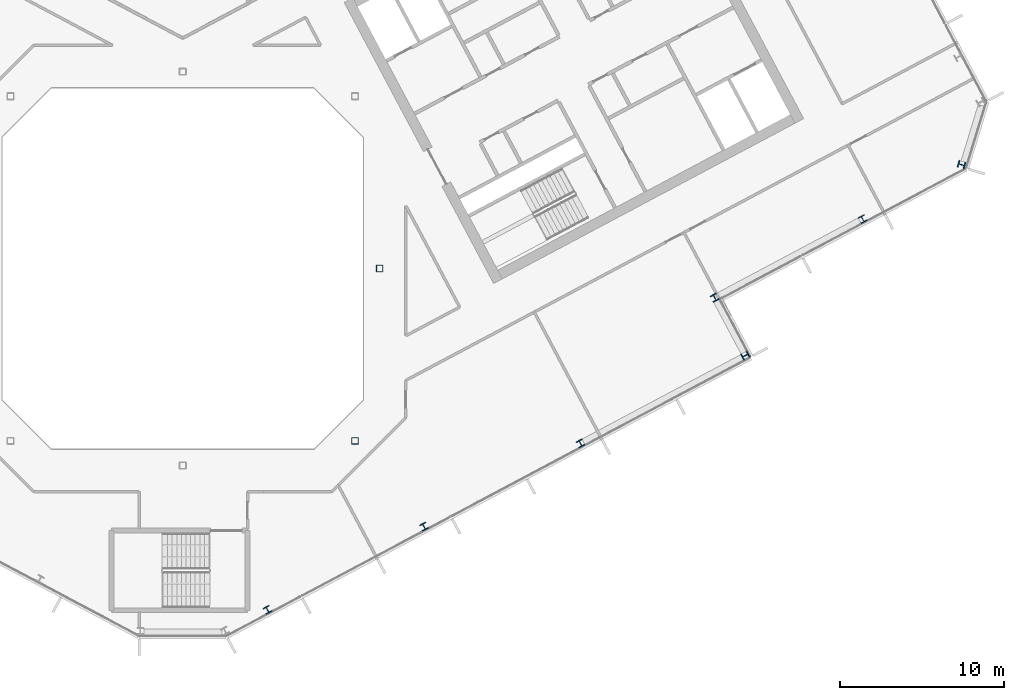
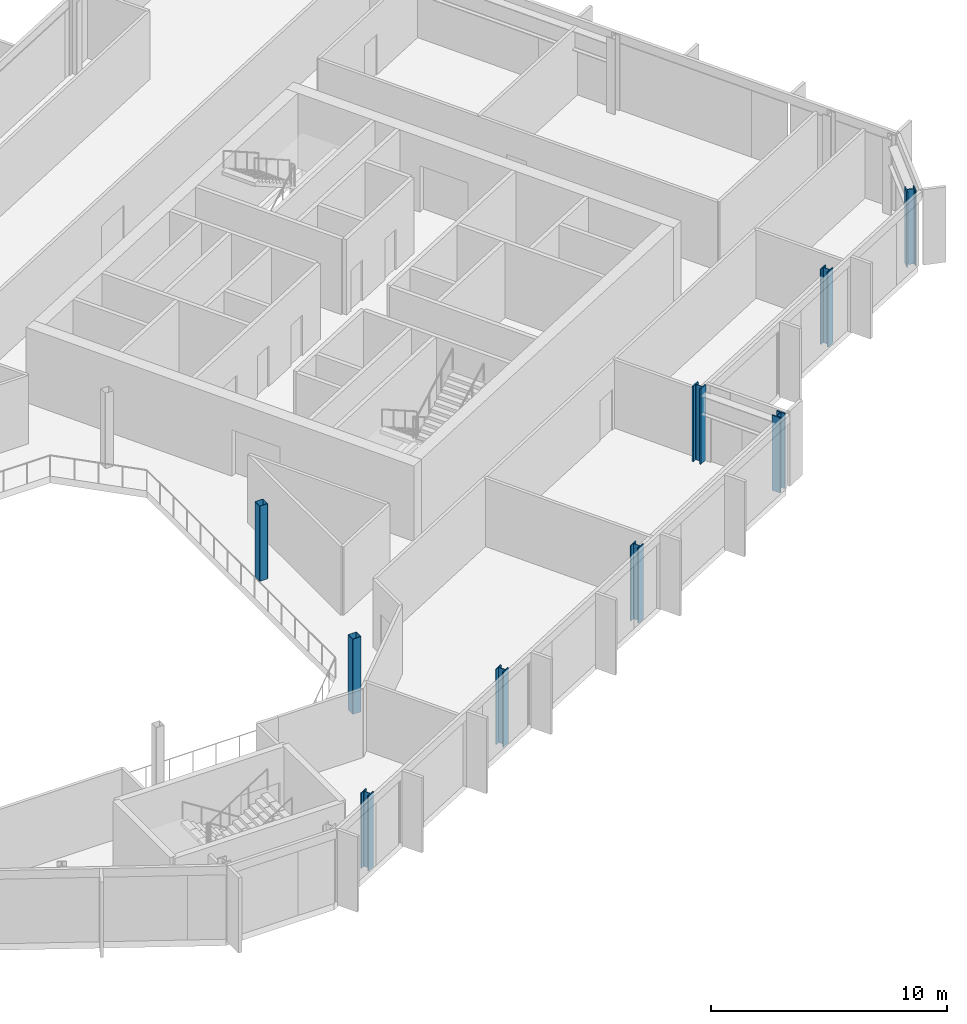
# One storey, part 5 of 27: 9 columns.
"""IFC4 building model written with IfcOpenShell, lengths in metres."""

import ifcopenshell
import ifcopenshell.guid

model = None  # the IFC model being written
_history = None  # IfcOwnerHistory: only IFC2X3 demands one
_inside = {}  # id of a spatial element -> (the spatial element, [elements in it])
_under = {}  # id of a project, library or spatial element -> (it, [spatial elements below it])
_declared = {}  # id of a project -> (the project, [libraries it declares])
_typed = {}  # id of a type object -> (the type object, [elements of that type])
_made_of = {}  # id of a material, layer set ... -> (it, [elements and type objects made of it])


def new_model(schema):
    """Start an empty IFC model of exactly this schema.

    Asked for "IFC4X3", IfcOpenShell would pick the latest addendum, in which some entities
    have other attributes; the version numbers below select the first issue.
    IFC2X3 requires an IfcOwnerHistory on every rooted entity: one is made here for all.
    """
    global model, _history
    if schema == "IFC4X3":
        model = ifcopenshell.file(schema_version=(4, 3, 0, 0))
    else:
        model = ifcopenshell.file(schema=schema)
    _inside.clear()
    _under.clear()
    _declared.clear()
    _typed.clear()
    _made_of.clear()
    _history = None
    if model.schema == "IFC2X3":
        org = make("IfcOrganization", Name="unknown")
        user = make(
            "IfcPersonAndOrganization",
            ThePerson=make("IfcPerson", FamilyName="unknown"),
            TheOrganization=org,
        )
        app = make(
            "IfcApplication",
            ApplicationDeveloper=org,
            Version="unknown",
            ApplicationFullName="unknown",
            ApplicationIdentifier="unknown",
        )
        _history = make(
            "IfcOwnerHistory",
            OwningUser=user,
            OwningApplication=app,
            ChangeAction="ADDED",
            CreationDate=0,
        )
    return model


def make(cls, **values):
    """One entity of the class cls with the attributes given. An attribute that is None is left unset."""
    return model.create_entity(
        cls, **{name: value for name, value in values.items() if value is not None}
    )


def rooted(cls, **values):
    """An entity with a GlobalId (a new one), such as an element, a storey or a relation."""
    return make(cls, GlobalId=ifcopenshell.guid.new(), OwnerHistory=_history, **values)


def si_unit(unit_type, name, prefix=None):
    """IfcSIUnit, for example si_unit("LENGTHUNIT", "METRE", prefix="MILLI")."""
    return make("IfcSIUnit", UnitType=unit_type, Prefix=prefix, Name=name)


def assignment(units):
    """IfcUnitAssignment: the units of a project."""
    return None if units is None else make("IfcUnitAssignment", Units=units)


def point(xyz):
    """IfcCartesianPoint."""
    return None if xyz is None else make("IfcCartesianPoint", Coordinates=xyz)


def direction(xyz):
    """IfcDirection."""
    return None if xyz is None else make("IfcDirection", DirectionRatios=xyz)


def frame(location, z_axis=None, x_axis=None):
    """IfcAxis2Placement3D, a coordinate frame: its origin and axes. An axis left out is left unset."""
    return make(
        "IfcAxis2Placement3D",
        Location=point(location),
        Axis=direction(z_axis),
        RefDirection=direction(x_axis),
    )


def frame_2d(location, x_axis=None):
    """IfcAxis2Placement2D, a coordinate frame in the plane: its origin and x axis."""
    return make(
        "IfcAxis2Placement2D", Location=point(location), RefDirection=direction(x_axis)
    )


def origin():
    """The frame at (0, 0, 0) with its axes left unset."""
    return frame((0.0, 0.0, 0.0))


def origin_2d():
    """The frame at (0, 0) in the plane with its x axis left unset."""
    return frame_2d((0.0, 0.0))


def place(relative_to, where):
    """IfcLocalPlacement: puts the frame where relative to a parent placement (None: the world)."""
    return make(
        "IfcLocalPlacement", PlacementRelTo=relative_to, RelativePlacement=where
    )


def context(
    kind, dimensions, precision=None, world=None, true_north=None, identifier=None
):
    """IfcGeometricRepresentationContext, for example the 3D "Model" context."""
    return make(
        "IfcGeometricRepresentationContext",
        ContextIdentifier=identifier,
        ContextType=kind,
        CoordinateSpaceDimension=dimensions,
        Precision=precision,
        WorldCoordinateSystem=world,
        TrueNorth=true_north,
    )


def subcontext(parent, identifier, kind, view, scale=None):
    """IfcGeometricRepresentationSubContext, for example "Body" below "Model"."""
    return make(
        "IfcGeometricRepresentationSubContext",
        ContextIdentifier=identifier,
        ContextType=kind,
        ParentContext=parent,
        TargetScale=scale,
        TargetView=view,
    )


def project(units=None, contexts=None):
    """IfcProject with its units and contexts."""
    return rooted(
        "IfcProject",
        Name="project",
        RepresentationContexts=contexts,
        UnitsInContext=assignment(units),
    )


def spatial(cls, under=None, at=None, **own):
    """A site, building, storey or space (cls), placed at a placement, below another one or the project."""
    s = rooted(cls, ObjectPlacement=at, **own)
    if under is not None:
        _under.setdefault(under.id(), (under, []))[1].append(s)
    return s


def profile(cls, at=None, kind="AREA", **sizes):
    """A parametric profile (cls). Its sizes go by their IFC names, for example OverallWidth=200.0."""
    return make(cls, ProfileType=kind, Position=at, **sizes)


def hollow_rectangle(**sizes):
    """IfcRectangleHollowProfileDef."""
    return profile("IfcRectangleHollowProfileDef", **sizes)


def i_section(**sizes):
    """IfcIShapeProfileDef."""
    return profile("IfcIShapeProfileDef", **sizes)


def extrude(swept, where, along, depth):
    """IfcExtrudedAreaSolid: the profile swept, set in the frame where, extruded along a direction by depth."""
    return make(
        "IfcExtrudedAreaSolid",
        SweptArea=swept,
        Position=where,
        ExtrudedDirection=direction(along),
        Depth=depth,
    )


def shape(context_of_items, identifier, shape_type, items):
    """IfcShapeRepresentation: the items that make up one representation, for example the "Body"."""
    return make(
        "IfcShapeRepresentation",
        ContextOfItems=context_of_items,
        RepresentationIdentifier=identifier,
        RepresentationType=shape_type,
        Items=items,
    )


def material(Name=None, Category=None):
    """IfcMaterial."""
    return make("IfcMaterial", Name=Name, Category=Category)


def material_profile(
    of_material, cross_section, Name=None, Category=None, Priority=None
):
    """IfcMaterialProfile: a cross section and its material."""
    return make(
        "IfcMaterialProfile",
        Name=Name,
        Material=of_material,
        Profile=cross_section,
        Priority=Priority,
        Category=Category,
    )


def profile_set(profiles, Name=None, composite=None):
    """IfcMaterialProfileSet."""
    return make(
        "IfcMaterialProfileSet",
        Name=Name,
        MaterialProfiles=profiles,
        CompositeProfile=composite,
    )


def made_of(thing, what):
    """Note that an element or type object is made of a material, layer set ...; save() writes the relation."""
    if what is not None:
        _made_of.setdefault(what.id(), (what, []))[1].append(thing)
    return thing


def type_object(cls, material=None, **own):
    """A type object (cls), such as IfcWallType, which elements share."""
    return made_of(rooted(cls, **own), material)


def element(
    cls,
    number,
    at=None,
    inside=None,
    cuts=None,
    type_object=None,
    material=None,
    context=None,
    identifier="Body",
    shape_type=None,
    held_by="IfcProductDefinitionShape",
    body=None,
    shapes=None,
    **own,
):
    """One element of the class cls, such as IfcWall. Its Tag is "e" and its number.

    at: its placement. inside: the storey or other place that contains it. cuts: it is an
    opening in that element (IfcRelVoidsElement). A single representation is given by context,
    identifier, shape_type and body (its items); several are given by shapes. held_by: the class
    of the entity that holds the representations. save() writes the other relations.
    """
    e = rooted(cls, Tag="e%d" % number, ObjectPlacement=at, **own)
    if body is not None:
        shapes = [shape(context, identifier, shape_type, body)]
    if shapes is not None:
        e.Representation = make(held_by, Representations=shapes)
    if inside is not None:
        _inside.setdefault(inside.id(), (inside, []))[1].append(e)
    if cuts is not None:
        rooted(
            "IfcRelVoidsElement", RelatingBuildingElement=cuts, RelatedOpeningElement=e
        )
    if type_object is not None:
        _typed.setdefault(type_object.id(), (type_object, []))[1].append(e)
    return made_of(e, material)


def aggregate(whole, parts):
    """IfcRelAggregates: a whole, such as a stair, and the parts it consists of."""
    return rooted("IfcRelAggregates", RelatingObject=whole, RelatedObjects=parts)


def save(model, path):
    """Write the relations noted so far, then the file.

    IfcRelAggregates (storeys below a building ...), IfcRelContainedInSpatialStructure (elements
    in a storey), IfcRelDefinesByType, IfcRelAssociatesMaterial and IfcRelDeclares: one each for
    every whole, place, type object, material and project.
    """
    for whole, parts in _under.values():
        aggregate(whole, parts)
    for where, things in _inside.values():
        rooted(
            "IfcRelContainedInSpatialStructure",
            RelatedElements=things,
            RelatingStructure=where,
        )
    for kind, things in _typed.values():
        rooted("IfcRelDefinesByType", RelatedObjects=things, RelatingType=kind)
    for what, things in _made_of.values():
        rooted("IfcRelAssociatesMaterial", RelatedObjects=things, RelatingMaterial=what)
    for by, libraries in _declared.values():
        rooted("IfcRelDeclares", RelatingContext=by, RelatedDefinitions=libraries)
    model.write(path)


model = new_model("IFC4")

# Units and contexts
model_context = context("Model", 3, precision=1e-05, world=origin(), true_north=direction((0.0, 1.0)))
body_context = subcontext(model_context, "Body", "Model", "MODEL_VIEW")
ifc_project = project(units=[si_unit("LENGTHUNIT", "METRE"), si_unit("AREAUNIT", "SQUARE_METRE"), si_unit("VOLUMEUNIT", "CUBIC_METRE"), si_unit("PLANEANGLEUNIT", "RADIAN"), si_unit("MASSUNIT", "GRAM", prefix="KILO")], contexts=[model_context])

# Site, building, storey
site_placement = place(None, origin())
site = spatial("IfcSite", under=ifc_project, at=site_placement, CompositionType="ELEMENT")
building_placement = place(site_placement, origin())
building = spatial("IfcBuilding", under=site, at=building_placement, Name="Cormorant Relay Tower", CompositionType="ELEMENT")
storey_placement = place(building_placement, frame((0.0, 0.0, 240.300048828125)))
storey = spatial("IfcBuildingStorey", under=building, at=storey_placement, Name="L53", CompositionType="ELEMENT", Elevation=240.300048828125)

# Columns
ifc_material_1 = material(Name="Steel ASTM A500 Grade C (Fy 345 MPa)", Category="steel")
ifc_material_profile_1 = material_profile(ifc_material_1, hollow_rectangle(XDim=0.406494140625, YDim=0.406494140625, WallThickness=0.0146484375, InnerFilletRadius=0.00732421875, OuterFilletRadius=0.022216796875, at=origin_2d()), Name="HSS406x406x15")
ifc_profile_set_1 = profile_set([ifc_material_profile_1], Name="Steel ASTM A500 Grade C (Fy 345 MPa)")
column_type_1 = type_object("IfcColumnType", Name="Column HSS406x406x15", PredefinedType="COLUMN", material=ifc_profile_set_1)
for number, where, z_axis, x_axis, name in (
    (1, (10.5, -10.5, 0.0), (0.0, 0.0, 1.0), (1.0, 0.0, 0.0), "Column L53-010"),
    (2, (12.0, 0.0, 0.0), (0.0, 0.0, 1.0), (1.0, 0.0, 0.0), "Column L53-016"),
):
    element("IfcColumn", number, at=place(storey_placement, frame(where, z_axis=z_axis, x_axis=x_axis)), inside=storey, type_object=column_type_1, Name=name, PredefinedType="COLUMN", context=body_context, shape_type="SweptSolid", body=[
        extrude(hollow_rectangle(XDim=0.406494140625, YDim=0.406494140625, WallThickness=0.0146484375, InnerFilletRadius=0.00732421875, OuterFilletRadius=0.022216796875, at=origin_2d()), origin(), (0.0, 0.0, 1.0), 3.89990234375),
    ])
ifc_material_2 = material(Name="Steel ASTM A992 (Fy 345 MPa)", Category="steel")
ifc_material_profile_2 = material_profile(ifc_material_2, i_section(OverallWidth=0.40380859375, OverallDepth=0.406494140625, WebThickness=0.027099609375, FlangeThickness=0.043701171875, FilletRadius=0.01513671875, at=origin_2d()), Name="W360x347")
ifc_profile_set_2 = profile_set([ifc_material_profile_2], Name="Steel ASTM A992 (Fy 345 MPa)")
column_type_2 = type_object("IfcColumnType", Name="Column W360x347", PredefinedType="COLUMN", material=ifc_profile_set_2)
for number, where, z_axis, x_axis, name in (
    (3, (5.1689453125, -20.798095703125, 0.0), (0.0, 0.0, 1.0), (0.882947592859, 0.469471562786, 0.0), "Column L53-003"),
    (4, (14.705078125, -15.72705078125, 0.0), (0.0, 0.0, 1.0), (0.882947592859, 0.469471562786, 0.0), "Column L53-005"),
    (5, (24.240966796875, -10.656982421875, 0.0), (0.0, 0.0, 1.0), (0.882947592859, 0.469471562786, 0.0), "Column L53-008"),
    (6, (41.43408203125, 3.014892578125, 0.0), (0.0, 0.0, 1.0), (0.882947592859, 0.469471562786, 0.0), "Column L53-019"),
):
    element("IfcColumn", number, at=place(storey_placement, frame(where, z_axis=z_axis, x_axis=x_axis)), inside=storey, type_object=column_type_2, Name=name, PredefinedType="COLUMN", context=body_context, shape_type="SweptSolid", body=[
        extrude(i_section(OverallWidth=0.40380859375, OverallDepth=0.406494140625, WebThickness=0.027099609375, FlangeThickness=0.043701171875, FilletRadius=0.01513671875, at=origin_2d()), origin(), (0.0, 0.0, 1.0), 3.89990234375),
    ])
ifc_material_3 = material(Name="Steel ASTM A992 (Fy 345 MPa)", Category="steel")
ifc_material_profile_3 = material_profile(ifc_material_3, i_section(OverallWidth=0.41162109375, OverallDepth=0.434326171875, WebThickness=0.035888671875, FlangeThickness=0.057373046875, FilletRadius=0.01513671875, at=origin_2d()), Name="W360x463")
ifc_profile_set_3 = profile_set([ifc_material_profile_3], Name="Steel ASTM A992 (Fy 345 MPa)")
column_type_3 = type_object("IfcColumnType", Name="Column W360x463", PredefinedType="COLUMN", material=ifc_profile_set_3)
for number, where, z_axis, x_axis, name in (
    (7, (34.284912109375, -5.305908203125, 0.0), (0.0, 0.0, 1.0), (-0.469471562786, 0.882947592859, 0.0), "Column L53-012"),
    (8, (32.4169921875, -1.777099609375, 0.0), (0.0, 0.0, 1.0), (0.882947592859, 0.469471562786, 0.0), "Column L53-014"),
    (9, (47.458984375, 6.325927734375, 0.0), (0.0, 0.0, 1.0), (0.292371704723, 0.956304755963, 0.0), "Column L53-020"),
):
    element("IfcColumn", number, at=place(storey_placement, frame(where, z_axis=z_axis, x_axis=x_axis)), inside=storey, type_object=column_type_3, Name=name, PredefinedType="COLUMN", context=body_context, shape_type="SweptSolid", body=[
        extrude(i_section(OverallWidth=0.41162109375, OverallDepth=0.434326171875, WebThickness=0.035888671875, FlangeThickness=0.057373046875, FilletRadius=0.01513671875, at=origin_2d()), origin(), (0.0, 0.0, 1.0), 3.89990234375),
    ])

save(model, "model.ifc")
